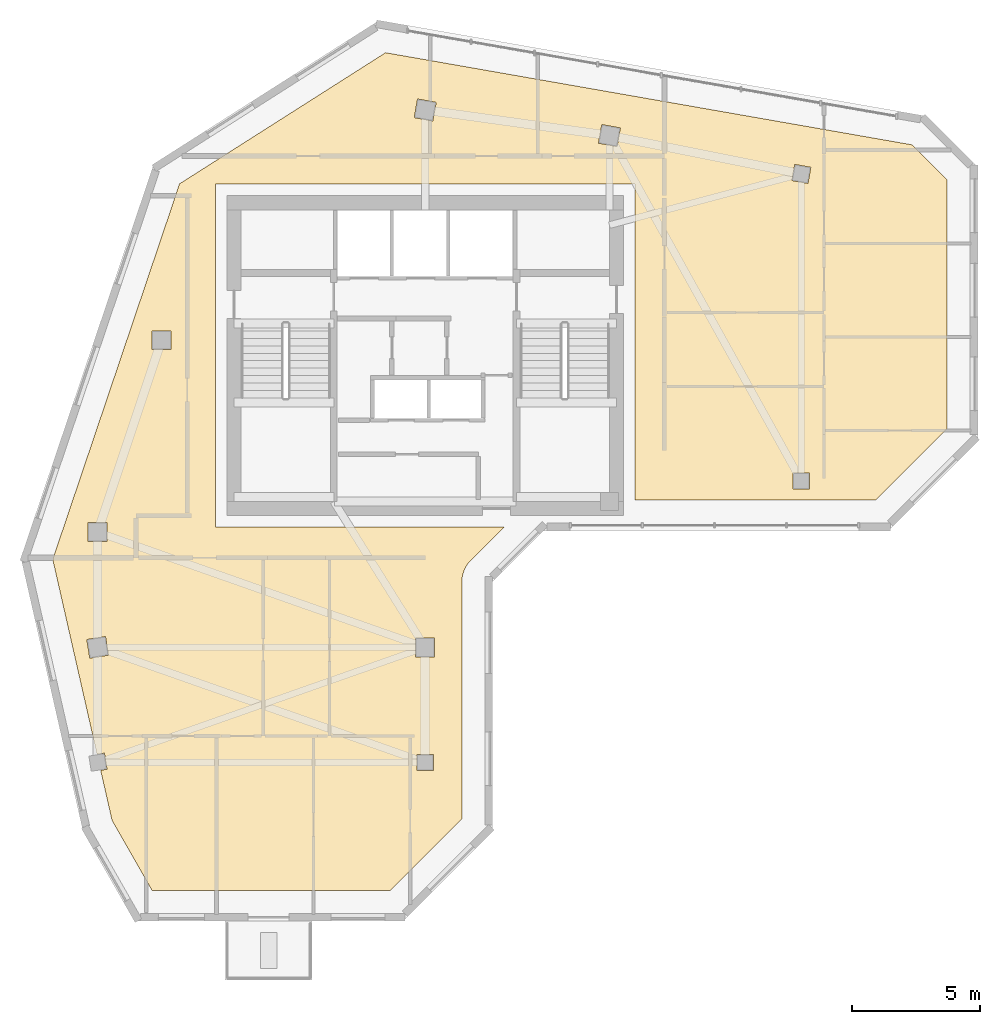
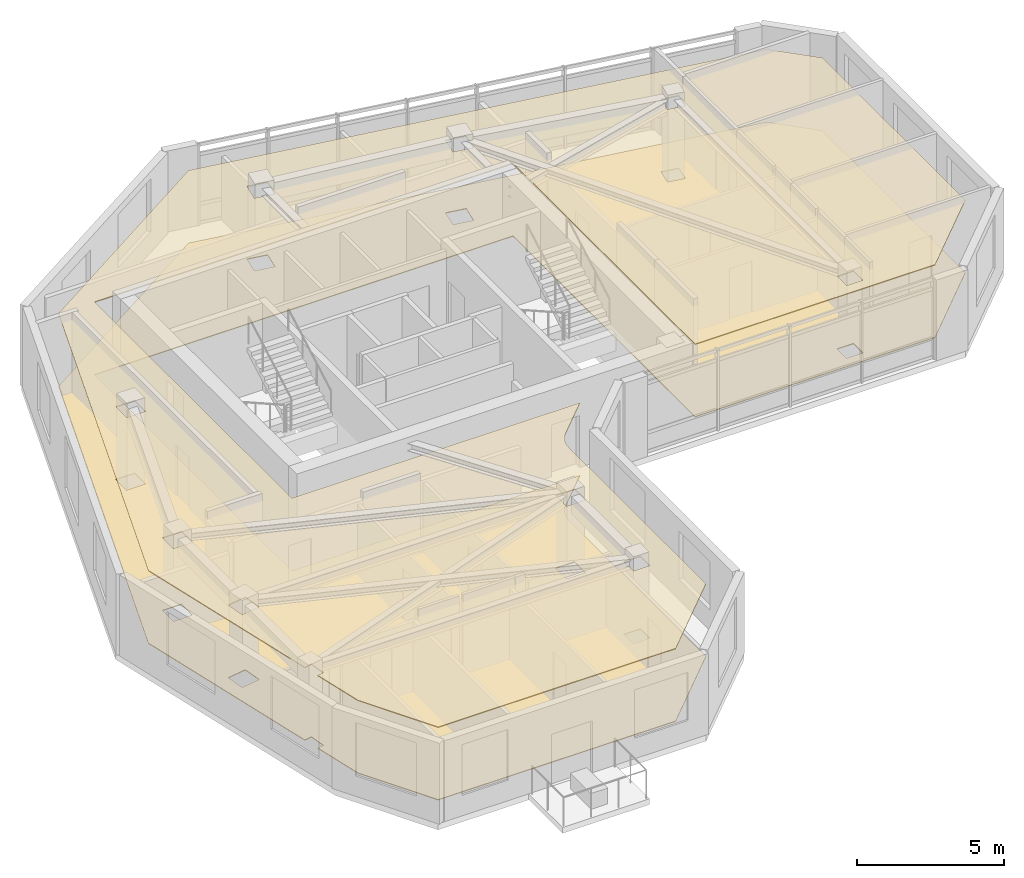
# One storey, part 9 of 10: 2 coverings.
"""IFC4 building model written with IfcOpenShell, lengths in metres."""

from ifc_helpers import new_model, si_unit, direction, frame, origin, place, context, subcontext, project, spatial, polyline, outline, extrude, material, layer, layer_set, type_object, element, save


model = new_model("IFC4")

# Units and contexts
model_context = context("Model", 3, precision=1e-05, world=origin(), true_north=direction((0.0, 1.0)))
body_context = subcontext(model_context, "Body", "Model", "MODEL_VIEW")
ifc_project = project(units=[si_unit("LENGTHUNIT", "METRE"), si_unit("AREAUNIT", "SQUARE_METRE"), si_unit("VOLUMEUNIT", "CUBIC_METRE"), si_unit("PLANEANGLEUNIT", "RADIAN"), si_unit("MASSUNIT", "GRAM", prefix="KILO")], contexts=[model_context])

# Site, building, storey
site_placement = place(None, origin())
site = spatial("IfcSite", under=ifc_project, at=site_placement, CompositionType="ELEMENT")
building_placement = place(site_placement, origin())
building = spatial("IfcBuilding", under=site, at=building_placement, Name="Calvemar Wedge Station Tower", CompositionType="ELEMENT")
storey_placement = place(building_placement, frame((0.0, 0.0, 256.5)))
storey = spatial("IfcBuildingStorey", under=building, at=storey_placement, Name="L65", CompositionType="ELEMENT", Elevation=256.5)

# Coverings
ifc_material_1 = material(Name="Acoustic mineral fibre ceiling board")
ifc_layer_1 = layer(ifc_material_1, 0.0400390625)
ifc_layer_set_1 = layer_set([ifc_layer_1], Name="Acoustic mineral fibre ceiling board")
covering_type_1 = type_object("IfcCoveringType", Name="COV-CEIL-ACOUSTIC", PredefinedType="CEILING", material=ifc_layer_set_1)
covering_1_placement = place(storey_placement, frame((0.0, 0.0, 3.0)))
element("IfcCovering", 1, at=covering_1_placement, inside=storey, type_object=covering_type_1, Name="Storey L65 Acoustic Suspended Ceiling", PredefinedType="CEILING", context=body_context, shape_type="SweptSolid", body=[
    extrude(outline(polyline([(15.60009765625, 33.199951171875), (15.60009765625, 46.60009765625), (32.0, 46.60009765625), (32.0, 34.256103515625), (41.40283203125, 34.256103515625), (44.199951171875, 37.052978515625), (44.199951171875, 46.7587890625), (42.819580078125, 48.139404296875), (22.251708984375, 51.73779296875), (14.201416015625, 46.614990234375), (9.2451171875, 31.936279296875), (10.97607421875, 24.3203125), (11.265380859375, 24.36669921875), (11.36669921875, 23.734619140625), (11.118408203125, 23.69482421875), (11.5625, 21.740234375), (13.12841796875, 19.0), (22.434814453125, 19.0), (25.23193359375, 21.797119140625), (25.23193359375, 31.055908203125), (25.23779296875, 31.173583984375), (25.255126953125, 31.2900390625), (25.28369140625, 31.404296875), (25.3232421875, 31.51513671875), (25.373779296875, 31.62158203125), (25.43408203125, 31.72265625), (25.50439453125, 31.8173828125), (25.58349609375, 31.904541015625), (26.87890625, 33.199951171875), (15.60009765625, 33.199951171875)]), holes=[polyline([(11.3701171875, 33.3701171875), (11.3701171875, 32.6298828125), (10.6298828125, 32.6298828125), (10.6298828125, 33.3701171875), (11.3701171875, 33.3701171875)]), polyline([(13.8701171875, 40.1298828125), (13.1298828125, 40.1298828125), (13.1298828125, 40.8701171875), (13.8701171875, 40.8701171875), (13.8701171875, 40.1298828125)]), polyline([(23.370361328125, 49.201416015625), (23.50146484375, 49.9296875), (24.229736328125, 49.798583984375), (24.0986328125, 49.0703125), (23.370361328125, 49.201416015625)]), polyline([(30.701416015625, 48.9296875), (31.4296875, 48.798583984375), (31.298583984375, 48.0703125), (30.5703125, 48.201416015625), (30.701416015625, 48.9296875)]), polyline([(38.87158203125, 47.25830078125), (38.75830078125, 46.62841796875), (38.12841796875, 46.74169921875), (38.24169921875, 47.37158203125), (38.87158203125, 47.25830078125)]), polyline([(38.820068359375, 34.679931640625), (38.179931640625, 34.679931640625), (38.179931640625, 35.320068359375), (38.820068359375, 35.320068359375), (38.820068359375, 34.679931640625)]), polyline([(10.576171875, 28.806884765625), (11.306884765625, 28.923828125), (11.423828125, 28.193115234375), (10.693115234375, 28.076171875), (10.576171875, 28.806884765625)]), polyline([(24.169921875, 28.8701171875), (24.169921875, 28.1298828125), (23.429931640625, 28.1298828125), (23.429931640625, 28.8701171875), (24.169921875, 28.8701171875)]), polyline([(24.1201171875, 23.679931640625), (23.47998046875, 23.679931640625), (23.47998046875, 24.320068359375), (24.1201171875, 24.320068359375), (24.1201171875, 23.679931640625)])]), origin(), (0.0, 0.0, 1.0), 0.0400390625),
])
ifc_material_2 = material(Name="Honed coastal granite stone tile", Category="masonry")
ifc_layer_2 = layer(ifc_material_2, 0.030029296875)
ifc_layer_set_2 = layer_set([ifc_layer_2], Name="Honed coastal granite stone tile")
covering_type_2 = type_object("IfcCoveringType", Name="COV-FLR-STONE", PredefinedType="FLOORING", material=ifc_layer_set_2)
covering_2_placement = place(storey_placement, origin())
element("IfcCovering", 2, at=covering_2_placement, inside=storey, type_object=covering_type_2, Name="Storey L65 Architectural Floor Finish", PredefinedType="FLOORING", context=body_context, shape_type="SweptSolid", body=[
    extrude(outline(polyline([(15.60009765625, 33.199951171875), (15.60009765625, 46.60009765625), (32.0, 46.60009765625), (32.0, 34.256103515625), (41.40283203125, 34.256103515625), (44.199951171875, 37.052978515625), (44.199951171875, 46.7587890625), (42.819580078125, 48.139404296875), (22.251708984375, 51.73779296875), (14.201416015625, 46.614990234375), (9.2451171875, 31.936279296875), (10.97607421875, 24.3203125), (11.265380859375, 24.36669921875), (11.36669921875, 23.734619140625), (11.118408203125, 23.69482421875), (11.5625, 21.740234375), (13.12841796875, 19.0), (22.434814453125, 19.0), (25.23193359375, 21.797119140625), (25.23193359375, 31.055908203125), (25.23779296875, 31.173583984375), (25.255126953125, 31.2900390625), (25.28369140625, 31.404296875), (25.3232421875, 31.51513671875), (25.373779296875, 31.62158203125), (25.43408203125, 31.72265625), (25.50439453125, 31.8173828125), (25.58349609375, 31.904541015625), (26.87890625, 33.199951171875), (15.60009765625, 33.199951171875)]), holes=[polyline([(11.3701171875, 33.3701171875), (11.3701171875, 32.6298828125), (10.6298828125, 32.6298828125), (10.6298828125, 33.3701171875), (11.3701171875, 33.3701171875)]), polyline([(13.8701171875, 40.1298828125), (13.1298828125, 40.1298828125), (13.1298828125, 40.8701171875), (13.8701171875, 40.8701171875), (13.8701171875, 40.1298828125)]), polyline([(23.370361328125, 49.201416015625), (23.50146484375, 49.9296875), (24.229736328125, 49.798583984375), (24.0986328125, 49.0703125), (23.370361328125, 49.201416015625)]), polyline([(30.701416015625, 48.9296875), (31.4296875, 48.798583984375), (31.298583984375, 48.0703125), (30.5703125, 48.201416015625), (30.701416015625, 48.9296875)]), polyline([(38.87158203125, 47.25830078125), (38.75830078125, 46.62841796875), (38.12841796875, 46.74169921875), (38.24169921875, 47.37158203125), (38.87158203125, 47.25830078125)]), polyline([(38.820068359375, 34.679931640625), (38.179931640625, 34.679931640625), (38.179931640625, 35.320068359375), (38.820068359375, 35.320068359375), (38.820068359375, 34.679931640625)]), polyline([(10.576171875, 28.806884765625), (11.306884765625, 28.923828125), (11.423828125, 28.193115234375), (10.693115234375, 28.076171875), (10.576171875, 28.806884765625)]), polyline([(24.169921875, 28.8701171875), (24.169921875, 28.1298828125), (23.429931640625, 28.1298828125), (23.429931640625, 28.8701171875), (24.169921875, 28.8701171875)]), polyline([(24.1201171875, 23.679931640625), (23.47998046875, 23.679931640625), (23.47998046875, 24.320068359375), (24.1201171875, 24.320068359375), (24.1201171875, 23.679931640625)])]), origin(), (0.0, 0.0, 1.0), 0.030029296875),
])

save(model, "model.ifc")
